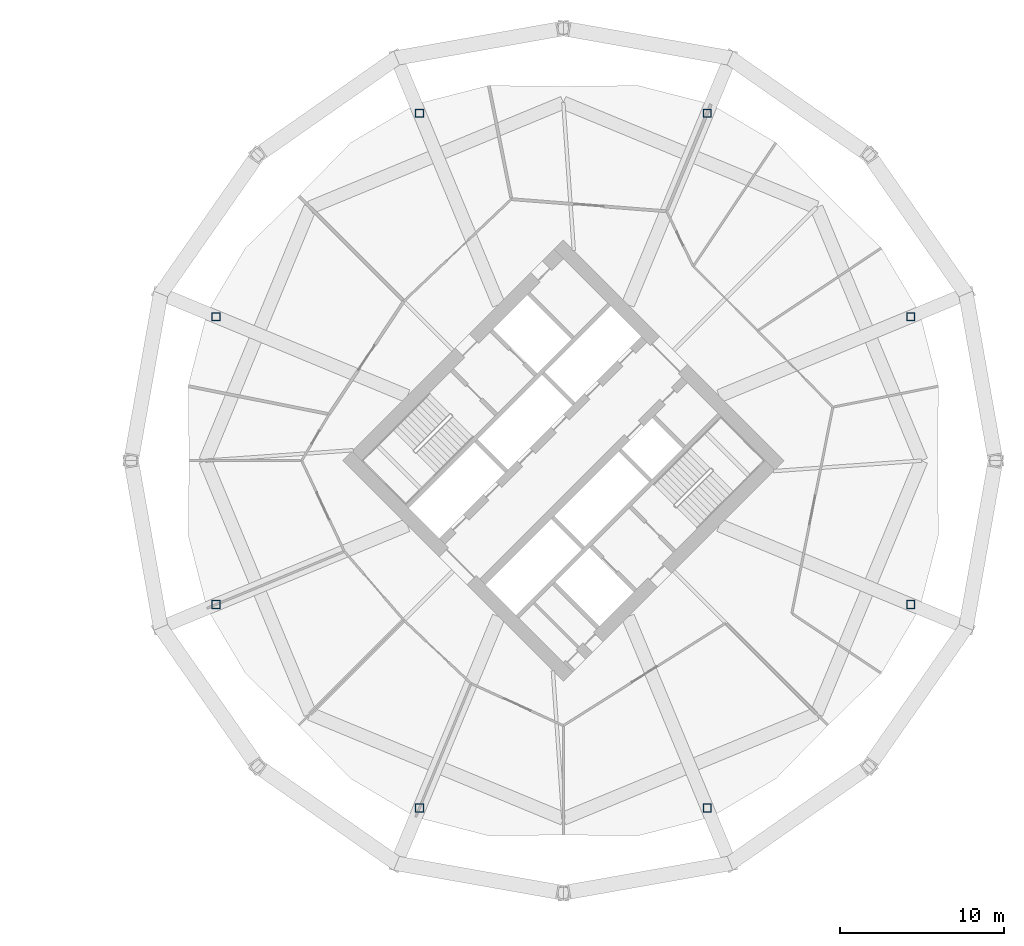
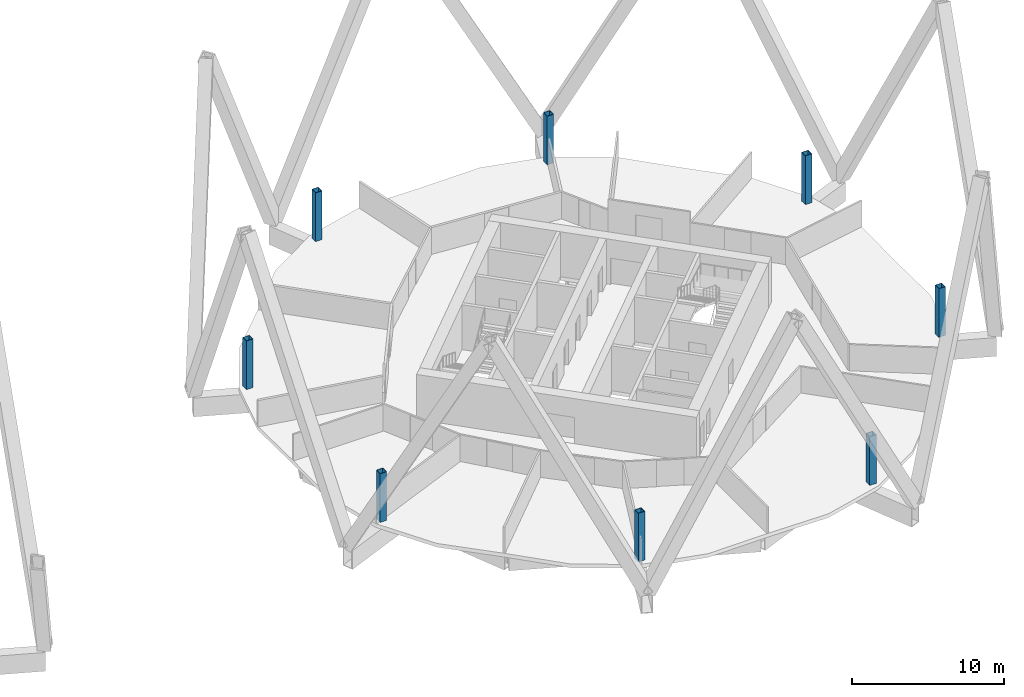
# One storey, part 2 of 9: 8 columns.
"""IFC4 building model written with IfcOpenShell, lengths in metres."""

import ifcopenshell
import ifcopenshell.guid

model = None  # the IFC model being written
_history = None  # IfcOwnerHistory: only IFC2X3 demands one
_inside = {}  # id of a spatial element -> (the spatial element, [elements in it])
_under = {}  # id of a project, library or spatial element -> (it, [spatial elements below it])
_declared = {}  # id of a project -> (the project, [libraries it declares])
_typed = {}  # id of a type object -> (the type object, [elements of that type])
_made_of = {}  # id of a material, layer set ... -> (it, [elements and type objects made of it])


def new_model(schema):
    """Start an empty IFC model of exactly this schema.

    Asked for "IFC4X3", IfcOpenShell would pick the latest addendum, in which some entities
    have other attributes; the version numbers below select the first issue.
    IFC2X3 requires an IfcOwnerHistory on every rooted entity: one is made here for all.
    """
    global model, _history
    if schema == "IFC4X3":
        model = ifcopenshell.file(schema_version=(4, 3, 0, 0))
    else:
        model = ifcopenshell.file(schema=schema)
    _inside.clear()
    _under.clear()
    _declared.clear()
    _typed.clear()
    _made_of.clear()
    _history = None
    if model.schema == "IFC2X3":
        org = make("IfcOrganization", Name="unknown")
        user = make(
            "IfcPersonAndOrganization",
            ThePerson=make("IfcPerson", FamilyName="unknown"),
            TheOrganization=org,
        )
        app = make(
            "IfcApplication",
            ApplicationDeveloper=org,
            Version="unknown",
            ApplicationFullName="unknown",
            ApplicationIdentifier="unknown",
        )
        _history = make(
            "IfcOwnerHistory",
            OwningUser=user,
            OwningApplication=app,
            ChangeAction="ADDED",
            CreationDate=0,
        )
    return model


def make(cls, **values):
    """One entity of the class cls with the attributes given. An attribute that is None is left unset."""
    return model.create_entity(
        cls, **{name: value for name, value in values.items() if value is not None}
    )


def rooted(cls, **values):
    """An entity with a GlobalId (a new one), such as an element, a storey or a relation."""
    return make(cls, GlobalId=ifcopenshell.guid.new(), OwnerHistory=_history, **values)


def si_unit(unit_type, name, prefix=None):
    """IfcSIUnit, for example si_unit("LENGTHUNIT", "METRE", prefix="MILLI")."""
    return make("IfcSIUnit", UnitType=unit_type, Prefix=prefix, Name=name)


def assignment(units):
    """IfcUnitAssignment: the units of a project."""
    return None if units is None else make("IfcUnitAssignment", Units=units)


def point(xyz):
    """IfcCartesianPoint."""
    return None if xyz is None else make("IfcCartesianPoint", Coordinates=xyz)


def direction(xyz):
    """IfcDirection."""
    return None if xyz is None else make("IfcDirection", DirectionRatios=xyz)


def frame(location, z_axis=None, x_axis=None):
    """IfcAxis2Placement3D, a coordinate frame: its origin and axes. An axis left out is left unset."""
    return make(
        "IfcAxis2Placement3D",
        Location=point(location),
        Axis=direction(z_axis),
        RefDirection=direction(x_axis),
    )


def frame_2d(location, x_axis=None):
    """IfcAxis2Placement2D, a coordinate frame in the plane: its origin and x axis."""
    return make(
        "IfcAxis2Placement2D", Location=point(location), RefDirection=direction(x_axis)
    )


def origin():
    """The frame at (0, 0, 0) with its axes left unset."""
    return frame((0.0, 0.0, 0.0))


def origin_2d():
    """The frame at (0, 0) in the plane with its x axis left unset."""
    return frame_2d((0.0, 0.0))


def place(relative_to, where):
    """IfcLocalPlacement: puts the frame where relative to a parent placement (None: the world)."""
    return make(
        "IfcLocalPlacement", PlacementRelTo=relative_to, RelativePlacement=where
    )


def context(
    kind, dimensions, precision=None, world=None, true_north=None, identifier=None
):
    """IfcGeometricRepresentationContext, for example the 3D "Model" context."""
    return make(
        "IfcGeometricRepresentationContext",
        ContextIdentifier=identifier,
        ContextType=kind,
        CoordinateSpaceDimension=dimensions,
        Precision=precision,
        WorldCoordinateSystem=world,
        TrueNorth=true_north,
    )


def subcontext(parent, identifier, kind, view, scale=None):
    """IfcGeometricRepresentationSubContext, for example "Body" below "Model"."""
    return make(
        "IfcGeometricRepresentationSubContext",
        ContextIdentifier=identifier,
        ContextType=kind,
        ParentContext=parent,
        TargetScale=scale,
        TargetView=view,
    )


def project(units=None, contexts=None):
    """IfcProject with its units and contexts."""
    return rooted(
        "IfcProject",
        Name="project",
        RepresentationContexts=contexts,
        UnitsInContext=assignment(units),
    )


def spatial(cls, under=None, at=None, **own):
    """A site, building, storey or space (cls), placed at a placement, below another one or the project."""
    s = rooted(cls, ObjectPlacement=at, **own)
    if under is not None:
        _under.setdefault(under.id(), (under, []))[1].append(s)
    return s


def profile(cls, at=None, kind="AREA", **sizes):
    """A parametric profile (cls). Its sizes go by their IFC names, for example OverallWidth=200.0."""
    return make(cls, ProfileType=kind, Position=at, **sizes)


def hollow_rectangle(**sizes):
    """IfcRectangleHollowProfileDef."""
    return profile("IfcRectangleHollowProfileDef", **sizes)


def extrude(swept, where, along, depth):
    """IfcExtrudedAreaSolid: the profile swept, set in the frame where, extruded along a direction by depth."""
    return make(
        "IfcExtrudedAreaSolid",
        SweptArea=swept,
        Position=where,
        ExtrudedDirection=direction(along),
        Depth=depth,
    )


def shape(context_of_items, identifier, shape_type, items):
    """IfcShapeRepresentation: the items that make up one representation, for example the "Body"."""
    return make(
        "IfcShapeRepresentation",
        ContextOfItems=context_of_items,
        RepresentationIdentifier=identifier,
        RepresentationType=shape_type,
        Items=items,
    )


def material(Name=None, Category=None):
    """IfcMaterial."""
    return make("IfcMaterial", Name=Name, Category=Category)


def material_profile(
    of_material, cross_section, Name=None, Category=None, Priority=None
):
    """IfcMaterialProfile: a cross section and its material."""
    return make(
        "IfcMaterialProfile",
        Name=Name,
        Material=of_material,
        Profile=cross_section,
        Priority=Priority,
        Category=Category,
    )


def profile_set(profiles, Name=None, composite=None):
    """IfcMaterialProfileSet."""
    return make(
        "IfcMaterialProfileSet",
        Name=Name,
        MaterialProfiles=profiles,
        CompositeProfile=composite,
    )


def made_of(thing, what):
    """Note that an element or type object is made of a material, layer set ...; save() writes the relation."""
    if what is not None:
        _made_of.setdefault(what.id(), (what, []))[1].append(thing)
    return thing


def type_object(cls, material=None, **own):
    """A type object (cls), such as IfcWallType, which elements share."""
    return made_of(rooted(cls, **own), material)


def element(
    cls,
    number,
    at=None,
    inside=None,
    cuts=None,
    type_object=None,
    material=None,
    context=None,
    identifier="Body",
    shape_type=None,
    held_by="IfcProductDefinitionShape",
    body=None,
    shapes=None,
    **own,
):
    """One element of the class cls, such as IfcWall. Its Tag is "e" and its number.

    at: its placement. inside: the storey or other place that contains it. cuts: it is an
    opening in that element (IfcRelVoidsElement). A single representation is given by context,
    identifier, shape_type and body (its items); several are given by shapes. held_by: the class
    of the entity that holds the representations. save() writes the other relations.
    """
    e = rooted(cls, Tag="e%d" % number, ObjectPlacement=at, **own)
    if body is not None:
        shapes = [shape(context, identifier, shape_type, body)]
    if shapes is not None:
        e.Representation = make(held_by, Representations=shapes)
    if inside is not None:
        _inside.setdefault(inside.id(), (inside, []))[1].append(e)
    if cuts is not None:
        rooted(
            "IfcRelVoidsElement", RelatingBuildingElement=cuts, RelatedOpeningElement=e
        )
    if type_object is not None:
        _typed.setdefault(type_object.id(), (type_object, []))[1].append(e)
    return made_of(e, material)


def aggregate(whole, parts):
    """IfcRelAggregates: a whole, such as a stair, and the parts it consists of."""
    return rooted("IfcRelAggregates", RelatingObject=whole, RelatedObjects=parts)


def save(model, path):
    """Write the relations noted so far, then the file.

    IfcRelAggregates (storeys below a building ...), IfcRelContainedInSpatialStructure (elements
    in a storey), IfcRelDefinesByType, IfcRelAssociatesMaterial and IfcRelDeclares: one each for
    every whole, place, type object, material and project.
    """
    for whole, parts in _under.values():
        aggregate(whole, parts)
    for where, things in _inside.values():
        rooted(
            "IfcRelContainedInSpatialStructure",
            RelatedElements=things,
            RelatingStructure=where,
        )
    for kind, things in _typed.values():
        rooted("IfcRelDefinesByType", RelatedObjects=things, RelatingType=kind)
    for what, things in _made_of.values():
        rooted("IfcRelAssociatesMaterial", RelatedObjects=things, RelatingMaterial=what)
    for by, libraries in _declared.values():
        rooted("IfcRelDeclares", RelatingContext=by, RelatedDefinitions=libraries)
    model.write(path)


model = new_model("IFC4")

# Units and contexts
model_context = context("Model", 3, precision=1e-05, world=origin(), true_north=direction((0.0, 1.0)))
body_context = subcontext(model_context, "Body", "Model", "MODEL_VIEW")
ifc_project = project(units=[si_unit("LENGTHUNIT", "METRE"), si_unit("AREAUNIT", "SQUARE_METRE"), si_unit("VOLUMEUNIT", "CUBIC_METRE"), si_unit("PLANEANGLEUNIT", "RADIAN"), si_unit("MASSUNIT", "GRAM", prefix="KILO")], contexts=[model_context])

# Site, building, storey
site_placement = place(None, origin())
site = spatial("IfcSite", under=ifc_project, at=site_placement, CompositionType="ELEMENT")
building_placement = place(site_placement, origin())
building = spatial("IfcBuilding", under=site, at=building_placement, Name="Ogive Gate Towers", CompositionType="ELEMENT")
storey_placement = place(building_placement, frame((0.0, 0.0, 51.89990234375)))
storey = spatial("IfcBuildingStorey", under=building, at=storey_placement, Name="L11", CompositionType="ELEMENT", Elevation=51.89990234375)

# Columns
ifc_material = material(Name="Steel SM460", Category="steel")
ifc_material_profile = material_profile(ifc_material, hollow_rectangle(XDim=0.5, YDim=0.5, WallThickness=0.030029296875, at=origin_2d()), Name="BX 500x500x30")
ifc_profile_set = profile_set([ifc_material_profile], Name="Steel SM460")
column_type = type_object("IfcColumnType", Name="Perimeter post BX 500x500x30", PredefinedType="COLUMN", material=ifc_profile_set)
for number, where, z_axis, x_axis, name in (
    (1, (57.15673828125, 8.763427734375, 0.0), (0.0, 0.0, 1.0), (1.0, 0.0, 0.0), "T2/L11/SCL001"),
    (2, (44.763427734375, 21.15673828125, 0.0), (0.0, 0.0, 1.0), (1.0, 0.0, 0.0), "T2/L11/SCL002"),
    (3, (27.236572265625, 21.15673828125, 0.0), (0.0, 0.0, 1.0), (1.0, 0.0, 0.0), "T2/L11/SCL003"),
    (4, (14.84326171875, 8.763427734375, 0.0), (0.0, 0.0, 1.0), (1.0, 0.0, 0.0), "T2/L11/SCL004"),
    (5, (14.84326171875, -8.763427734375, 0.0), (0.0, 0.0, 1.0), (1.0, 0.0, 0.0), "T2/L11/SCL005"),
    (6, (27.236572265625, -21.15673828125, 0.0), (0.0, 0.0, 1.0), (1.0, 0.0, 0.0), "T2/L11/SCL006"),
    (7, (44.763427734375, -21.15673828125, 0.0), (0.0, 0.0, 1.0), (1.0, 0.0, 0.0), "T2/L11/SCL007"),
    (8, (57.15673828125, -8.763427734375, 0.0), (0.0, 0.0, 1.0), (1.0, 0.0, 0.0), "T2/L11/SCL008"),
):
    element("IfcColumn", number, at=place(storey_placement, frame(where, z_axis=z_axis, x_axis=x_axis)), inside=storey, type_object=column_type, Name=name, PredefinedType="COLUMN", context=body_context, shape_type="SweptSolid", body=[
        extrude(hollow_rectangle(XDim=0.5, YDim=0.5, WallThickness=0.030029296875, at=origin_2d()), origin(), (0.0, 0.0, 1.0), 3.900146484375),
    ])

save(model, "model.ifc")
